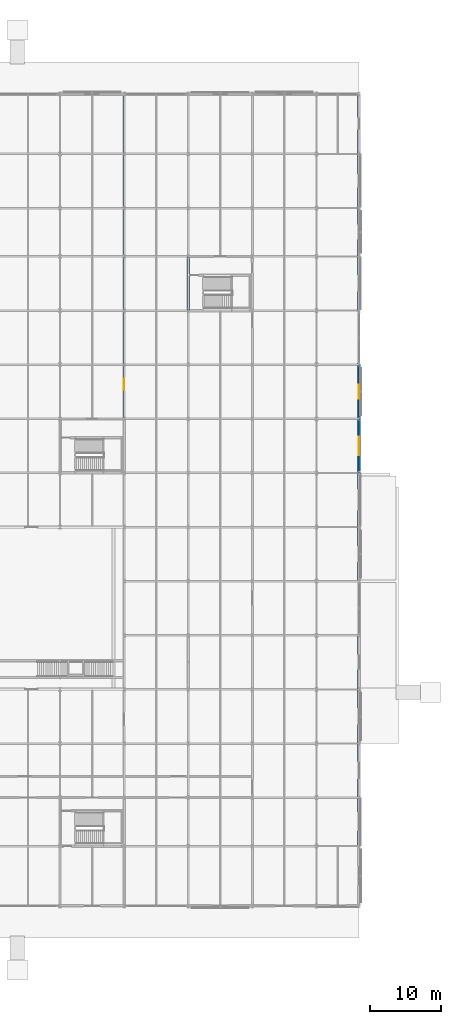
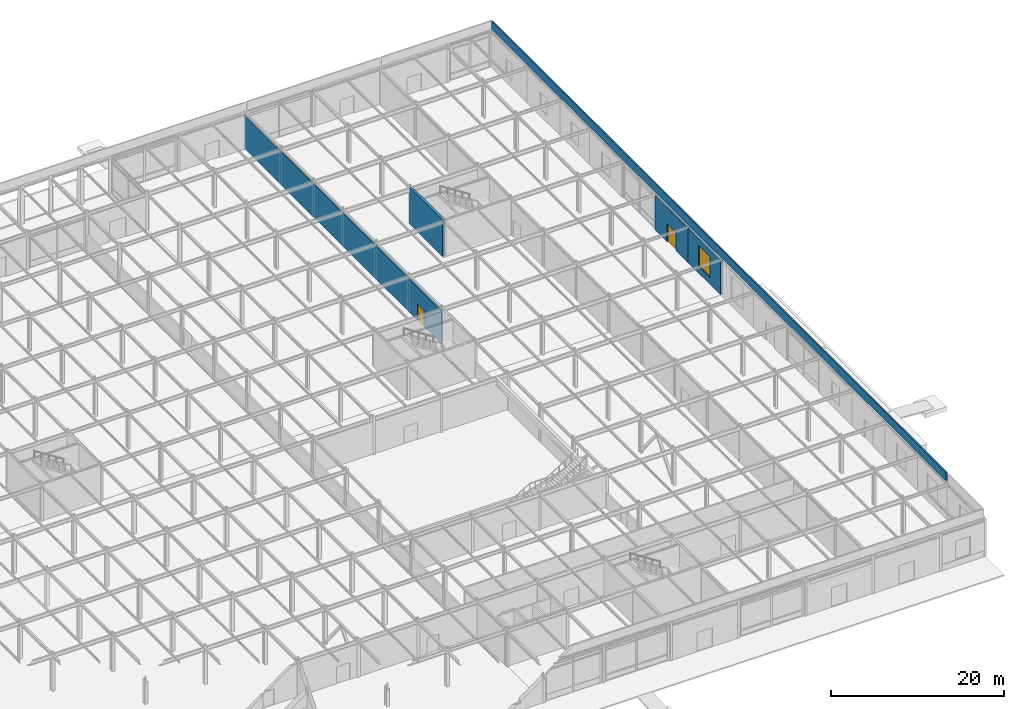
# One storey, part 71 of 89: 5 walls, 2 doors, 1 window, 3 openings.
"""IFC4 building model written with IfcOpenShell, lengths in metres."""

from ifc_helpers import new_model, si_unit, direction, frame, frame_2d, origin, place, context, subcontext, project, spatial, rectangle, extrude, material, layer, layer_set, type_object, element, fill, save


model = new_model("IFC4")

# Units and contexts
model_context = context("Model", 3, precision=1e-05, world=origin(), true_north=direction((0.0, 1.0)))
body_context = subcontext(model_context, "Body", "Model", "MODEL_VIEW")
ifc_project = project(units=[si_unit("LENGTHUNIT", "METRE"), si_unit("AREAUNIT", "SQUARE_METRE"), si_unit("VOLUMEUNIT", "CUBIC_METRE"), si_unit("PLANEANGLEUNIT", "RADIAN"), si_unit("MASSUNIT", "GRAM", prefix="KILO")], contexts=[model_context])

# Site, building, storey
site_placement = place(None, origin())
site = spatial("IfcSite", under=ifc_project, at=site_placement, CompositionType="ELEMENT")
building_placement = place(site_placement, origin())
building = spatial("IfcBuilding", under=site, at=building_placement, Name="Shalkamar Park Central Library", CompositionType="ELEMENT")
storey_placement = place(building_placement, origin())
storey = spatial("IfcBuildingStorey", under=building, at=storey_placement, Name="L01", CompositionType="ELEMENT", Elevation=0.0)

# Wall, opening, door
ifc_material_1 = material(Name="Fire-rated corridor partition wall", Category="masonry")
ifc_layer_1 = layer(ifc_material_1, 0.199951171875)
ifc_layer_set_1 = layer_set([ifc_layer_1], Name="CorridorFireWall_200")
wall_type_1 = type_object("IfcWallType", Name="Corridor Fire Wall 200", PredefinedType="PARTITIONING", material=ifc_layer_set_1)
wall_1_placement = place(storey_placement, frame((255.0, 308.39990234375, 0.0), z_axis=(0.0, 0.0, 1.0), x_axis=(0.0, 1.0, 0.0)))
wall_1 = element("IfcWall", 1, at=wall_1_placement, inside=storey, type_object=wall_type_1, Name="Interior Partition WL-INT-L01-046-S2", PredefinedType="PARTITIONING", context=body_context, shape_type="SweptSolid", body=[
    extrude(rectangle(XDim=45.60009765625, YDim=0.199951171875, at=frame_2d((22.800048828125, 0.0))), origin(), (0.0, 0.0, 1.0), 4.68798828125),
])
opening_1_placement = place(wall_1_placement, frame((4.0, 0.0, 0.0)))
opening_1 = element("IfcOpeningElement", 2, at=opening_1_placement, cuts=wall_1, Name="Opening DR-L01-039", PredefinedType="OPENING", context=body_context, shape_type="SweptSolid", body=[
    extrude(rectangle(XDim=1.60009765625, YDim=2.25, at=frame_2d((0.800048828125, 1.125))), frame((0.0, 0.11474609375, 0.0), z_axis=(0.0, -1.0, 0.0), x_axis=(1.0, 0.0, 0.0)), (0.0, 0.0, 1.0), 0.229736328125),
])
ifc_material_2 = material(Name="Steel S355", Category="steel")
door_type_1 = type_object("IfcDoorType", Name="Interior Door Double 1600x2250", OperationType="DOUBLE_DOOR_SINGLE_SWING", PredefinedType="DOOR", material=ifc_material_2)
door_1_placement = place(opening_1_placement, frame((1.60009765625, 0.0, 0.0), z_axis=(0.0, 0.0, 1.0), x_axis=(-1.0, 0.0, 0.0)))
door_1 = element("IfcDoor", 3, at=door_1_placement, inside=storey, type_object=door_type_1, Name="North East Stacks Link Door", OperationType="DOUBLE_DOOR_SINGLE_SWING", OverallHeight=2.25, OverallWidth=1.60009765625, PredefinedType="DOOR", context=body_context, shape_type="SweptSolid", body=[
    extrude(rectangle(XDim=1.60009765625, YDim=2.25, at=frame_2d((0.800048828125, 1.125))), frame((0.0, 0.02490234375, 0.0), z_axis=(0.0, -1.0, 0.0), x_axis=(1.0, 0.0, 0.0)), (0.0, 0.0, 1.0), 0.050048828125),
])
fill(opening_1, door_1)

# Wall, opening, window
ifc_material_3 = material(Name="Concrete C35/45 precast", Category="concrete")
ifc_layer_2 = layer(ifc_material_3, 0.320068359375)
ifc_layer_set_2 = layer_set([ifc_layer_2], Name="Concrete C35/45 precast")
wall_type_2 = type_object("IfcWallType", Name="Granite Plinth External Wall 320", PredefinedType="SOLIDWALL", material=ifc_layer_set_2)
wall_2_placement = place(storey_placement, frame((288.0, 300.805908203125, 0.0), z_axis=(0.0, 0.0, 1.0), x_axis=(0.0, 1.0, 0.0)))
wall_2 = element("IfcWall", 4, at=wall_2_placement, inside=storey, type_object=wall_type_2, Name="Exterior Facade Wall WL-EXT-L01-049", PredefinedType="SOLIDWALL", context=body_context, shape_type="SweptSolid", body=[
    extrude(rectangle(XDim=7.588134765625, YDim=0.320068359375, at=frame_2d((3.7939453125, 0.0))), origin(), (0.0, 0.0, 1.0), 4.8779296875),
])
opening_2_placement = place(wall_2_placement, frame((2.493896484375, 0.0, 0.949951171875)))
opening_2 = element("IfcOpeningElement", 5, at=opening_2_placement, cuts=wall_2, Name="Opening WN-02", PredefinedType="OPENING", context=body_context, shape_type="SweptSolid", body=[
    extrude(rectangle(XDim=2.60009765625, YDim=3.0, at=frame_2d((1.300048828125, 1.5))), frame((0.0, 0.1748046875, 0.0), z_axis=(0.0, -1.0, 0.0), x_axis=(1.0, 0.0, 0.0)), (0.0, 0.0, 1.0), 0.349853515625),
])
ifc_material_4 = material(Name="Thermally broken aluminium and triple low-e glass", Category="glass")
window_type = type_object("IfcWindowType", Name="Podium Window 2600x3000", PartitioningType="DOUBLE_PANEL_VERTICAL", PredefinedType="WINDOW", material=ifc_material_4)
window_placement = place(opening_2_placement, origin())
window = element("IfcWindow", 6, at=window_placement, inside=storey, type_object=window_type, Name="Facade Window WN-L01-019", OverallHeight=3.0, OverallWidth=2.60009765625, PartitioningType="DOUBLE_PANEL_VERTICAL", PredefinedType="WINDOW", context=body_context, shape_type="SweptSolid", body=[
    extrude(rectangle(XDim=2.60009765625, YDim=3.0, at=frame_2d((1.300048828125, 1.5))), frame((0.0, 0.030029296875, 0.0), z_axis=(0.0, -1.0, 0.0), x_axis=(1.0, 0.0, 0.0)), (0.0, 0.0, 1.0), 0.06005859375),
])
fill(opening_2, window)

# Wall, opening, door
wall_3_placement = place(storey_placement, frame((288.0, 308.406005859375, 0.0), z_axis=(0.0, 0.0, 1.0), x_axis=(0.0, 1.0, 0.0)))
wall_3 = element("IfcWall", 7, at=wall_3_placement, inside=storey, type_object=wall_type_2, Name="Exterior Facade Wall WL-EXT-L01-050", PredefinedType="SOLIDWALL", context=body_context, shape_type="SweptSolid", body=[
    extrude(rectangle(XDim=7.587890625, YDim=0.320068359375, at=frame_2d((3.7939453125, 0.0))), origin(), (0.0, 0.0, 1.0), 4.8779296875),
])
opening_3_placement = place(wall_3_placement, frame((2.7939453125, 0.0, 0.0)))
opening_3 = element("IfcOpeningElement", 8, at=opening_3_placement, cuts=wall_3, Name="Opening ED-L01-031", PredefinedType="OPENING", context=body_context, shape_type="SweptSolid", body=[
    extrude(rectangle(XDim=2.0, YDim=2.550048828125, at=frame_2d((1.0, 1.27490234375))), frame((0.0, 0.1748046875, 0.0), z_axis=(0.0, -1.0, 0.0), x_axis=(1.0, 0.0, 0.0)), (0.0, 0.0, 1.0), 0.349853515625),
])
ifc_material_5 = material(Name="Thermally broken insulated aluminium and glazed door", Category="aluminium")
door_type_2 = type_object("IfcDoorType", Name="Plaza Exit Portal 2000x2550", OperationType="DOUBLE_DOOR_SINGLE_SWING", PredefinedType="DOOR", material=ifc_material_5)
door_2_placement = place(opening_3_placement, frame((2.0, 0.0, 0.0), z_axis=(0.0, 0.0, 1.0), x_axis=(-1.0, 0.0, 0.0)))
door_2 = element("IfcDoor", 9, at=door_2_placement, inside=storey, type_object=door_type_2, Name="East Park Promenade Entrance Portal K", OperationType="DOUBLE_DOOR_SINGLE_SWING", OverallHeight=2.550048828125, OverallWidth=2.0, PredefinedType="DOOR", context=body_context, shape_type="SweptSolid", body=[
    extrude(rectangle(XDim=2.0, YDim=2.550048828125, at=frame_2d((1.0, 1.27490234375))), frame((0.0, 0.02490234375, 0.0), z_axis=(0.0, -1.0, 0.0), x_axis=(1.0, 0.0, 0.0)), (0.0, 0.0, 1.0), 0.050048828125),
])
fill(opening_3, door_2)

# Walls
ifc_material_6 = material(Name="Concrete C40/50", Category="concrete")
ifc_layer_3 = layer(ifc_material_6, 0.35009765625)
ifc_layer_set_3 = layer_set([ifc_layer_3], Name="Concrete C40/50")
wall_type_3 = type_object("IfcWallType", Name="Podium Core Shear Wall 350", PredefinedType="SHEAR", material=ifc_layer_set_3)
wall_4_placement = place(storey_placement, frame((264.0, 323.60009765625, 0.0), z_axis=(0.0, 0.0, 1.0), x_axis=(0.0, 1.0, 0.0)))
element("IfcWall", 10, at=wall_4_placement, inside=storey, type_object=wall_type_3, Name="CORE-P6 West Shear Wall (L01)", PredefinedType="SHEAR", context=body_context, shape_type="SweptSolid", body=[
    extrude(rectangle(XDim=7.599853515625, YDim=0.35009765625, at=frame_2d((3.7998046875, 0.0))), origin(), (0.0, 0.0, 1.0), 5.139892578125),
])
ifc_layer_4 = layer(ifc_material_3, 0.179931640625)
ifc_layer_set_4 = layer_set([ifc_layer_4], Name="Concrete C35/45 precast")
wall_type_4 = type_object("IfcWallType", Name="Roof Parapet Wall 180", PredefinedType="PARAPET", material=ifc_layer_set_4)
wall_5_placement = place(storey_placement, frame((287.89990234375, 248.60009765625, 5.39990234375), z_axis=(0.0, 0.0, 1.0), x_axis=(0.0, 1.0, 0.0)))
element("IfcWall", 11, at=wall_5_placement, inside=storey, type_object=wall_type_4, Name="Roof Parapet Wall L01-07", PredefinedType="PARAPET", context=body_context, shape_type="SweptSolid", body=[
    extrude(rectangle(XDim=105.199951171875, YDim=0.179931640625, at=frame_2d((52.60009765625, 0.0))), origin(), (0.0, 0.0, 1.0), 1.2001953125),
])

save(model, "model.ifc")
